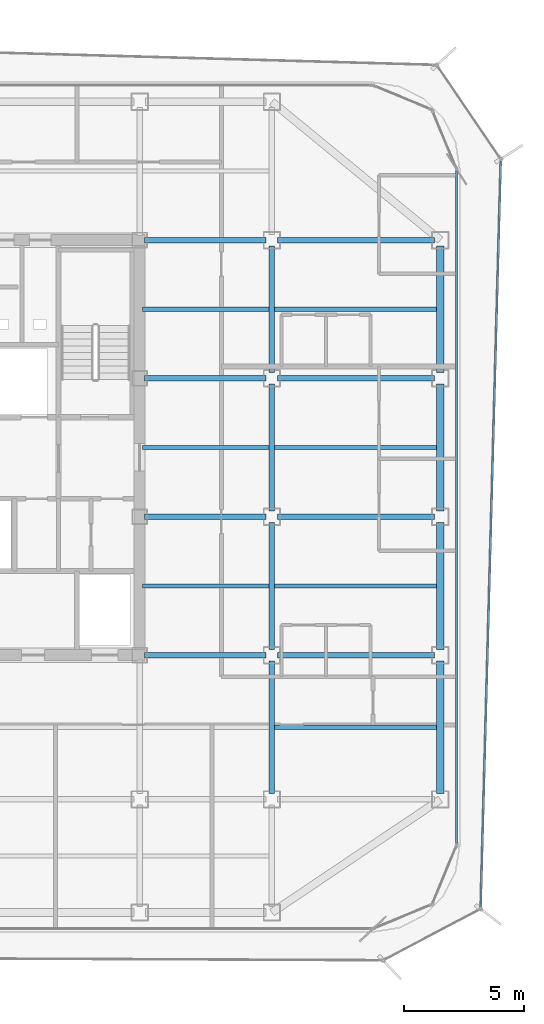
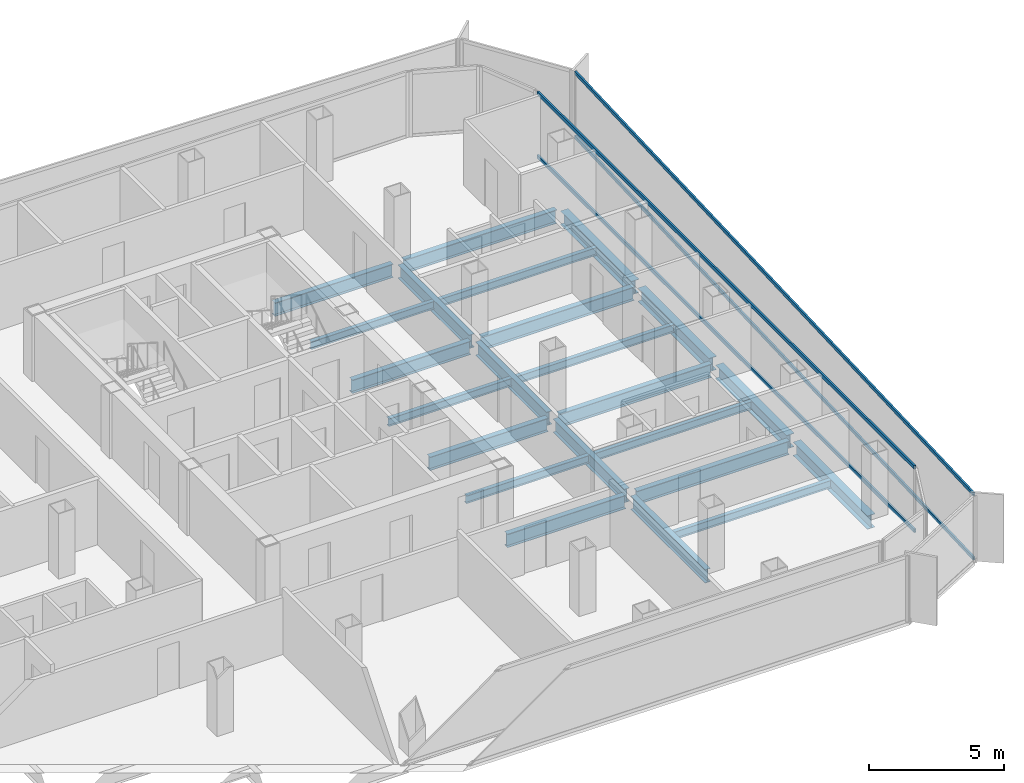
# One storey, part 5 of 15: 23 beams, 4 members, 2 elements without a shape of their own.
"""IFC4 building model written with IfcOpenShell, lengths in metres."""

from ifc_helpers import new_model, si_unit, direction, frame, origin, origin_2d, place, context, subcontext, project, spatial, hollow_rectangle, i_section, extrude, source, transform, mapped, material, layer, layer_set, material_profile, profile_set, type_object, element, aggregate, save


model = new_model("IFC4")

# Units and contexts
model_context = context("Model", 3, precision=1e-05, world=origin(), true_north=direction((0.0, 1.0)))
body_context = subcontext(model_context, "Body", "Model", "MODEL_VIEW")
ifc_project = project(units=[si_unit("LENGTHUNIT", "METRE"), si_unit("AREAUNIT", "SQUARE_METRE"), si_unit("VOLUMEUNIT", "CUBIC_METRE"), si_unit("PLANEANGLEUNIT", "RADIAN"), si_unit("MASSUNIT", "GRAM", prefix="KILO")], contexts=[model_context])

# Site, building, storey
site_placement = place(None, origin())
site = spatial("IfcSite", under=ifc_project, at=site_placement, CompositionType="ELEMENT")
building_placement = place(site_placement, origin())
building = spatial("IfcBuilding", under=site, at=building_placement, Name="Kolveth Station Tower", CompositionType="ELEMENT")
storey_placement = place(building_placement, frame((0.0, 0.0, 193.199951171875)))
storey = spatial("IfcBuildingStorey", under=building, at=storey_placement, Name="L54", CompositionType="ELEMENT", Elevation=193.199951171875)

# Beams
ifc_material_1 = material(Name="Steel S355", Category="steel")
ifc_material_profile_1 = material_profile(ifc_material_1, i_section(OverallWidth=0.323974609375, OverallDepth=0.611083984375, WebThickness=0.0126953125, FlangeThickness=0.01904296875, at=origin_2d()), Name="W610x155")
ifc_profile_set_1 = profile_set([ifc_material_profile_1], Name="Steel S355")
beam_type_1 = type_object("IfcBeamType", Name="Beam_SP2", PredefinedType="SPANDREL", material=ifc_profile_set_1)
shared_shape_1 = source(origin(), body_context, "Body", "SweptSolid", [
    extrude(i_section(OverallWidth=0.323974609375, OverallDepth=0.611083984375, WebThickness=0.0126953125, FlangeThickness=0.01904296875, at=origin_2d()), origin(), (0.0, 0.0, 1.0), 5.52001953125),
])
beam_1_placement = place(storey_placement, frame((41.0, 5.739990234375, -0.555419921875), z_axis=(0.0, 1.0, 0.0), x_axis=(-1.0, 0.0, 0.0)))
element("IfcBeam", 1, at=beam_1_placement, inside=storey, type_object=beam_type_1, Name="L54 Perimeter Spandrel BM-L54-PE-1", PredefinedType="SPANDREL", context=body_context, shape_type="MappedRepresentation", body=[
    mapped(shared_shape_1, transform((0.0, 0.0, 0.0), x_axis=(1.0, 0.0, 0.0), y_axis=(0.0, 1.0, 0.0), z_axis=(0.0, 0.0, 1.0), scale=1.0)),
])
shared_shape_2 = source(origin(), body_context, "Body", "SweptSolid", [
    extrude(i_section(OverallWidth=0.323974609375, OverallDepth=0.611083984375, WebThickness=0.0126953125, FlangeThickness=0.01904296875, at=origin_2d()), origin(), (0.0, 0.0, 1.0), 5.27001953125),
])
for number, where, z_axis, x_axis, name in (
    (2, (41.0, 11.739990234375, -0.555419921875), (0.0, 1.0, 0.0), (-1.0, 0.0, 0.0), "L54 Perimeter Spandrel BM-L54-PE-2"),
    (3, (41.0, 17.489990234375, -0.555419921875), (0.0, 1.0, 0.0), (-1.0, 0.0, 0.0), "L54 Perimeter Spandrel BM-L54-PE-3"),
    (4, (41.0, 23.239990234375, -0.555419921875), (0.0, 1.0, 0.0), (-1.0, 0.0, 0.0), "L54 Perimeter Spandrel BM-L54-PE-4"),
):
    element("IfcBeam", number, at=place(storey_placement, frame(where, z_axis=z_axis, x_axis=x_axis)), inside=storey, type_object=beam_type_1, Name=name, PredefinedType="SPANDREL", context=body_context, shape_type="MappedRepresentation", body=[
        mapped(shared_shape_2, transform((0.0, 0.0, 0.0), x_axis=(1.0, 0.0, 0.0), y_axis=(0.0, 1.0, 0.0), z_axis=(0.0, 0.0, 1.0), scale=1.0)),
    ])
ifc_material_profile_2 = material_profile(ifc_material_1, i_section(OverallWidth=0.22900390625, OverallDepth=0.612060546875, WebThickness=0.011962890625, FlangeThickness=0.01953125, at=origin_2d()), Name="W610x125")
ifc_profile_set_2 = profile_set([ifc_material_profile_2], Name="Steel S355")
beam_type_2 = type_object("IfcBeamType", Name="Beam_B5", PredefinedType="BEAM", material=ifc_profile_set_2)
shared_shape_3 = source(origin(), body_context, "Body", "SweptSolid", [
    extrude(i_section(OverallWidth=0.22900390625, OverallDepth=0.612060546875, WebThickness=0.011962890625, FlangeThickness=0.01953125, at=origin_2d()), origin(), (0.0, 0.0, 1.0), 6.52001953125),
])
for number, where, z_axis, x_axis, name in (
    (5, (34.239990234375, 11.5, -0.555908203125), (1.0, 0.0, 0.0), (0.0, 1.0, 0.0), "L54 Primary Girder BM-L54-GY115-6"),
    (6, (34.239990234375, 17.25, -0.555908203125), (1.0, 0.0, 0.0), (0.0, 1.0, 0.0), "L54 Primary Girder BM-L54-GY172-6"),
    (7, (34.239990234375, 23.0, -0.555908203125), (1.0, 0.0, 0.0), (0.0, 1.0, 0.0), "L54 Primary Girder BM-L54-GY230-6"),
    (8, (34.239990234375, 28.75, -0.555908203125), (1.0, 0.0, 0.0), (0.0, 1.0, 0.0), "L54 Primary Girder BM-L54-GY287-6"),
):
    element("IfcBeam", number, at=place(storey_placement, frame(where, z_axis=z_axis, x_axis=x_axis)), inside=storey, type_object=beam_type_2, Name=name, PredefinedType="BEAM", context=body_context, shape_type="MappedRepresentation", body=[
        mapped(shared_shape_3, transform((0.0, 0.0, 0.0), x_axis=(1.0, 0.0, 0.0), y_axis=(0.0, 1.0, 0.0), z_axis=(0.0, 0.0, 1.0), scale=1.0)),
    ])
shared_shape_4 = source(origin(), body_context, "Body", "SweptSolid", [
    extrude(i_section(OverallWidth=0.22900390625, OverallDepth=0.612060546875, WebThickness=0.011962890625, FlangeThickness=0.01953125, at=origin_2d()), origin(), (0.0, 0.0, 1.0), 5.06005859375),
])
for number, where, z_axis, x_axis, name in (
    (9, (28.699951171875, 11.5, -0.555908203125), (1.0, 0.0, 0.0), (0.0, 1.0, 0.0), "L54 Primary Girder BM-L54-GY115-5"),
    (10, (28.699951171875, 17.25, -0.555908203125), (1.0, 0.0, 0.0), (0.0, 1.0, 0.0), "L54 Primary Girder BM-L54-GY172-5"),
    (11, (28.699951171875, 23.0, -0.555908203125), (1.0, 0.0, 0.0), (0.0, 1.0, 0.0), "L54 Primary Girder BM-L54-GY230-5"),
    (12, (28.699951171875, 28.75, -0.555908203125), (1.0, 0.0, 0.0), (0.0, 1.0, 0.0), "L54 Primary Girder BM-L54-GY287-5"),
):
    element("IfcBeam", number, at=place(storey_placement, frame(where, z_axis=z_axis, x_axis=x_axis)), inside=storey, type_object=beam_type_2, Name=name, PredefinedType="BEAM", context=body_context, shape_type="MappedRepresentation", body=[
        mapped(shared_shape_4, transform((0.0, 0.0, 0.0), x_axis=(1.0, 0.0, 0.0), y_axis=(0.0, 1.0, 0.0), z_axis=(0.0, 0.0, 1.0), scale=1.0)),
    ])
shared_shape_5 = source(origin(), body_context, "Body", "SweptSolid", [
    extrude(i_section(OverallWidth=0.22900390625, OverallDepth=0.612060546875, WebThickness=0.011962890625, FlangeThickness=0.01953125, at=origin_2d()), origin(), (0.0, 0.0, 1.0), 5.52001953125),
])
beam_2_placement = place(storey_placement, frame((34.0, 5.739990234375, -0.555908203125), z_axis=(0.0, 1.0, 0.0), x_axis=(-1.0, 0.0, 0.0)))
element("IfcBeam", 13, at=beam_2_placement, inside=storey, type_object=beam_type_2, Name="L54 Primary Girder BM-L54-GX340-2", PredefinedType="BEAM", context=body_context, shape_type="MappedRepresentation", body=[
    mapped(shared_shape_5, transform((0.0, 0.0, 0.0), x_axis=(1.0, 0.0, 0.0), y_axis=(0.0, 1.0, 0.0), z_axis=(0.0, 0.0, 1.0), scale=1.0)),
])
shared_shape_6 = source(origin(), body_context, "Body", "SweptSolid", [
    extrude(i_section(OverallWidth=0.22900390625, OverallDepth=0.612060546875, WebThickness=0.011962890625, FlangeThickness=0.01953125, at=origin_2d()), origin(), (0.0, 0.0, 1.0), 5.27001953125),
])
for number, where, z_axis, x_axis, name in (
    (14, (34.0, 11.739990234375, -0.555908203125), (0.0, 1.0, 0.0), (-1.0, 0.0, 0.0), "L54 Primary Girder BM-L54-GX340-3"),
    (15, (34.0, 17.489990234375, -0.555908203125), (0.0, 1.0, 0.0), (-1.0, 0.0, 0.0), "L54 Primary Girder BM-L54-GX340-4"),
    (16, (34.0, 23.239990234375, -0.555908203125), (0.0, 1.0, 0.0), (-1.0, 0.0, 0.0), "L54 Primary Girder BM-L54-GX340-5"),
):
    element("IfcBeam", number, at=place(storey_placement, frame(where, z_axis=z_axis, x_axis=x_axis)), inside=storey, type_object=beam_type_2, Name=name, PredefinedType="BEAM", context=body_context, shape_type="MappedRepresentation", body=[
        mapped(shared_shape_6, transform((0.0, 0.0, 0.0), x_axis=(1.0, 0.0, 0.0), y_axis=(0.0, 1.0, 0.0), z_axis=(0.0, 0.0, 1.0), scale=1.0)),
    ])
ifc_material_profile_3 = material_profile(ifc_material_1, i_section(OverallWidth=0.1708984375, OverallDepth=0.35205078125, WebThickness=0.0068359375, FlangeThickness=0.009765625, at=origin_2d()), Name="W360x44")
ifc_profile_set_3 = profile_set([ifc_material_profile_3], Name="Steel S355")
beam_type_3 = type_object("IfcBeamType", Name="Beam_J2", PredefinedType="JOIST", material=ifc_profile_set_3)
shared_shape_7 = source(origin(), body_context, "Body", "SweptSolid", [
    extrude(i_section(OverallWidth=0.1708984375, OverallDepth=0.35205078125, WebThickness=0.0068359375, FlangeThickness=0.009765625, at=origin_2d()), origin(), (0.0, 0.0, 1.0), 5.27490234375),
])
for number, where, z_axis, x_axis, name in (
    (17, (28.612548828125, 14.375, -0.426025390625), (1.0, 0.0, 0.0), (0.0, 1.0, 0.0), "L54 Secondary Joist JST-L54-5-3"),
    (18, (28.612548828125, 20.125, -0.426025390625), (1.0, 0.0, 0.0), (0.0, 1.0, 0.0), "L54 Secondary Joist JST-L54-5-4"),
    (19, (28.612548828125, 25.875, -0.426025390625), (1.0, 0.0, 0.0), (0.0, 1.0, 0.0), "L54 Secondary Joist JST-L54-5-5"),
):
    element("IfcBeam", number, at=place(storey_placement, frame(where, z_axis=z_axis, x_axis=x_axis)), inside=storey, type_object=beam_type_3, Name=name, PredefinedType="JOIST", context=body_context, shape_type="MappedRepresentation", body=[
        mapped(shared_shape_7, transform((0.0, 0.0, 0.0), x_axis=(1.0, 0.0, 0.0), y_axis=(0.0, 1.0, 0.0), z_axis=(0.0, 0.0, 1.0), scale=1.0)),
    ])
shared_shape_8 = source(origin(), body_context, "Body", "SweptSolid", [
    extrude(i_section(OverallWidth=0.1708984375, OverallDepth=0.35205078125, WebThickness=0.0068359375, FlangeThickness=0.009765625, at=origin_2d()), origin(), (0.0, 0.0, 1.0), 6.7275390625),
])
for number, where, z_axis, x_axis, name in (
    (20, (34.112548828125, 8.5, -0.426025390625), (1.0, 0.0, 0.0), (0.0, 1.0, 0.0), "L54 Secondary Joist JST-L54-6-2"),
    (21, (34.112548828125, 14.375, -0.426025390625), (1.0, 0.0, 0.0), (0.0, 1.0, 0.0), "L54 Secondary Joist JST-L54-6-3"),
    (22, (34.112548828125, 20.125, -0.426025390625), (1.0, 0.0, 0.0), (0.0, 1.0, 0.0), "L54 Secondary Joist JST-L54-6-4"),
    (23, (34.112548828125, 25.875, -0.426025390625), (1.0, 0.0, 0.0), (0.0, 1.0, 0.0), "L54 Secondary Joist JST-L54-6-5"),
):
    element("IfcBeam", number, at=place(storey_placement, frame(where, z_axis=z_axis, x_axis=x_axis)), inside=storey, type_object=beam_type_3, Name=name, PredefinedType="JOIST", context=body_context, shape_type="MappedRepresentation", body=[
        mapped(shared_shape_8, transform((0.0, 0.0, 0.0), x_axis=(1.0, 0.0, 0.0), y_axis=(0.0, 1.0, 0.0), z_axis=(0.0, 0.0, 1.0), scale=1.0)),
    ])

# Curtain wall, members
ifc_material_2 = material(Name="Aluminium 6063-T6 and low-E dark glass", Category="aluminium")
ifc_layer_1 = layer(ifc_material_2, 0.18994140625)
ifc_layer_set_1 = layer_set([ifc_layer_1], Name="Aluminium 6063-T6 and low-E dark glass")
curtain_wall_type_1 = type_object("IfcCurtainWallType", Name="CurtainWall_CW-Z2", PredefinedType="NOTDEFINED", material=ifc_layer_set_1)
curtain_wall_1_placement = place(storey_placement, origin())
curtain_wall_1 = element("IfcCurtainWall", 24, at=curtain_wall_1_placement, inside=storey, type_object=curtain_wall_type_1, Name="L54 Inner Thermal Curtain Wall 3", PredefinedType="NOTDEFINED")
ifc_material_3 = material(Name="Black anodized aluminium 6063-T6", Category="aluminium")
ifc_material_profile_4 = material_profile(ifc_material_3, hollow_rectangle(XDim=0.080078125, YDim=0.169921875, WallThickness=0.0048828125, at=origin_2d()), Name="ALU-80x170x5")
ifc_profile_set_4 = profile_set([ifc_material_profile_4], Name="Black anodized aluminium 6063-T6")
member_type_1 = type_object("IfcMemberType", Name="Transom_TR2", PredefinedType="USERDEFINED", material=ifc_profile_set_4)
shared_shape_9 = source(origin(), body_context, "Body", "SweptSolid", [
    extrude(hollow_rectangle(XDim=0.080078125, YDim=0.169921875, WallThickness=0.0048828125, at=origin_2d()), origin(), (0.0, 0.0, 1.0), 27.940185546875),
])
member_1_placement = place(storey_placement, frame((41.679931640625, 3.679931640625, 0.0400390625), z_axis=(0.0, 1.0, 0.0), x_axis=(-1.0, 0.0, 0.0)))
member_1 = element("IfcMember", 25, at=member_1_placement, type_object=member_type_1, Name="CW-Z2 transom 1.1", ObjectType="TRANSOM", PredefinedType="USERDEFINED", context=body_context, shape_type="MappedRepresentation", body=[
    mapped(shared_shape_9, transform((0.0, 0.0, 0.0), x_axis=(1.0, 0.0, 0.0), y_axis=(0.0, 1.0, 0.0), z_axis=(0.0, 0.0, 1.0), scale=1.0)),
])
member_2_placement = place(storey_placement, frame((41.679931640625, 3.679931640625, 2.91015625), z_axis=(0.0, 1.0, 0.0), x_axis=(-1.0, 0.0, 0.0)))
member_2 = element("IfcMember", 26, at=member_2_placement, type_object=member_type_1, Name="CW-Z2 transom 1.2", ObjectType="TRANSOM", PredefinedType="USERDEFINED", context=body_context, shape_type="MappedRepresentation", body=[
    mapped(shared_shape_9, transform((0.0, 0.0, 0.0), x_axis=(1.0, 0.0, 0.0), y_axis=(0.0, 1.0, 0.0), z_axis=(0.0, 0.0, 1.0), scale=1.0)),
])
aggregate(curtain_wall_1, [member_1, member_2])

ifc_material_4 = material(Name="Black anodized aluminium 6063-T6 and dark solar glass", Category="aluminium")
ifc_layer_2 = layer(ifc_material_4, 0.159912109375)
ifc_layer_set_2 = layer_set([ifc_layer_2], Name="Black anodized aluminium 6063-T6 and dark solar glass")
curtain_wall_type_2 = type_object("IfcCurtainWallType", Name="OUTER SKIN CW-OS", PredefinedType="NOTDEFINED", material=ifc_layer_set_2)
curtain_wall_2_placement = place(storey_placement, origin())
curtain_wall_2 = element("IfcCurtainWall", 27, at=curtain_wall_2_placement, inside=storey, type_object=curtain_wall_type_2, Name="L54 Outer Ventilated Skin Curtain Wall 2", PredefinedType="NOTDEFINED")
ifc_material_profile_5 = material_profile(ifc_material_3, hollow_rectangle(XDim=0.080078125, YDim=0.14990234375, WallThickness=0.0048828125, at=origin_2d()), Name="ALU-80x150x5")
ifc_profile_set_5 = profile_set([ifc_material_profile_5], Name="Black anodized aluminium 6063-T6")
member_type_2 = type_object("IfcMemberType", Name="Transom_TR-OS", PredefinedType="USERDEFINED", material=ifc_profile_set_5)
shared_shape_10 = source(origin(), body_context, "Body", "SweptSolid", [
    extrude(hollow_rectangle(XDim=0.080078125, YDim=0.14990234375, WallThickness=0.0048828125, at=origin_2d()), origin(), (0.0, 0.0, 1.0), 31.00146484375),
])
member_3_placement = place(storey_placement, frame((42.677734375, 1.038330078125, 0.0400390625), z_axis=(0.026948676442, 0.999636818469, 0.0), x_axis=(-0.999636818469, 0.026948676442, 0.0)))
member_3 = element("IfcMember", 28, at=member_3_placement, type_object=member_type_2, Name="CW-OS transom 1.1", ObjectType="TRANSOM", PredefinedType="USERDEFINED", context=body_context, shape_type="MappedRepresentation", body=[
    mapped(shared_shape_10, transform((0.0, 0.0, 0.0), x_axis=(1.0, 0.0, 0.0), y_axis=(0.0, 1.0, 0.0), z_axis=(0.0, 0.0, 1.0), scale=1.0)),
])
member_4_placement = place(storey_placement, frame((42.677734375, 1.038330078125, 2.949951171875), z_axis=(0.026948676442, 0.999636818469, 0.0), x_axis=(-0.999636818469, 0.026948676442, 0.0)))
member_4 = element("IfcMember", 29, at=member_4_placement, type_object=member_type_2, Name="CW-OS transom 1.2", ObjectType="TRANSOM", PredefinedType="USERDEFINED", context=body_context, shape_type="MappedRepresentation", body=[
    mapped(shared_shape_10, transform((0.0, 0.0, 0.0), x_axis=(1.0, 0.0, 0.0), y_axis=(0.0, 1.0, 0.0), z_axis=(0.0, 0.0, 1.0), scale=1.0)),
])
aggregate(curtain_wall_2, [member_3, member_4])

save(model, "model.ifc")
